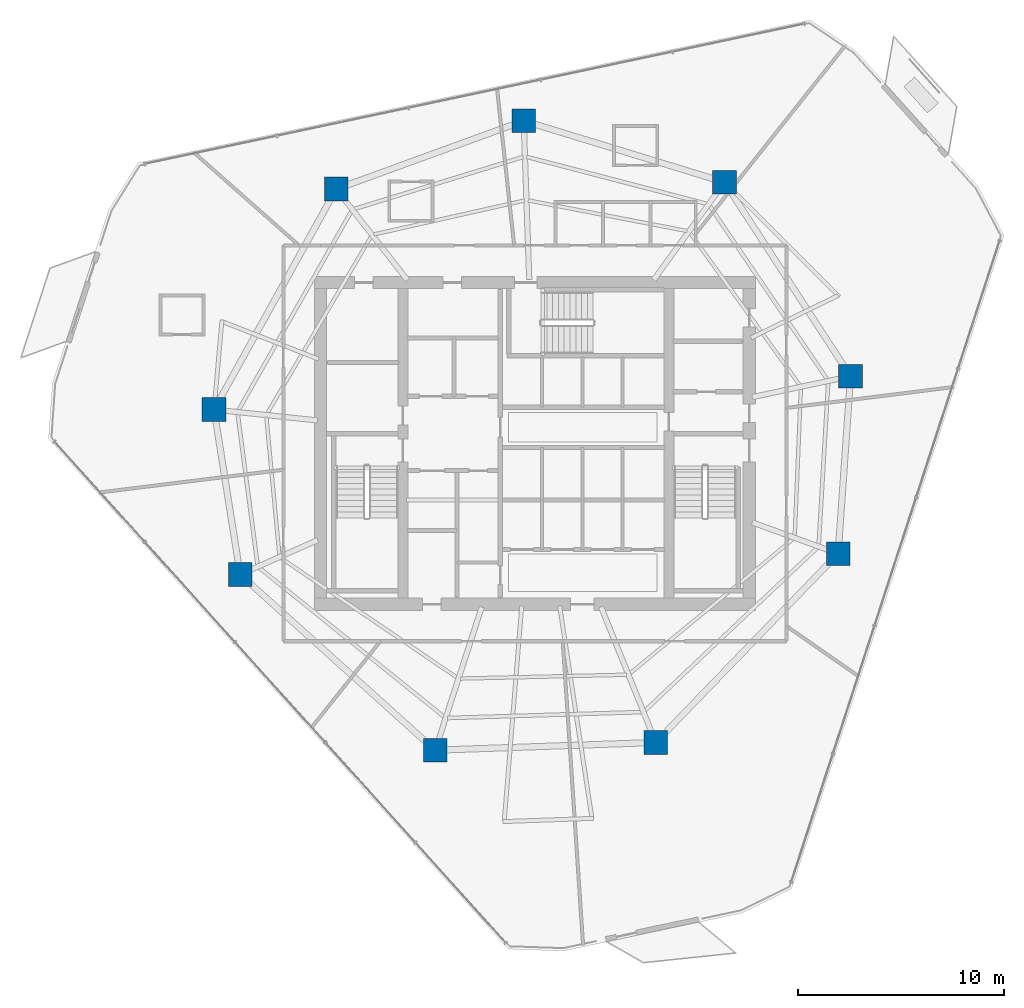
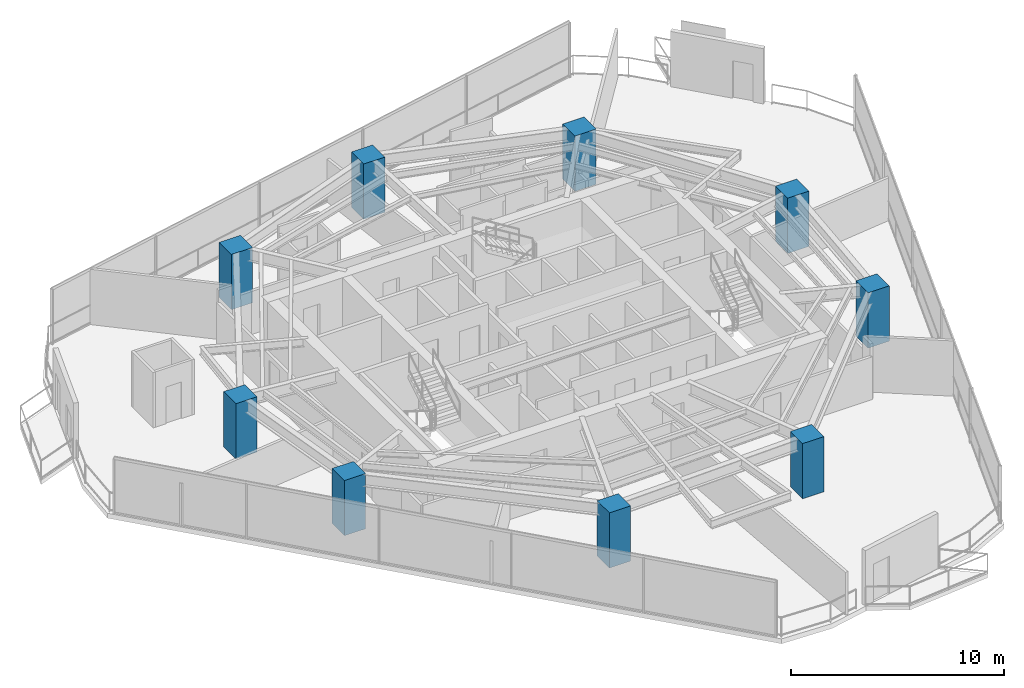
# One storey, part 1 of 27: 9 columns.
"""IFC4 building model written with IfcOpenShell, lengths in metres."""

import ifcopenshell
import ifcopenshell.guid

model = None  # the IFC model being written
_history = None  # IfcOwnerHistory: only IFC2X3 demands one
_inside = {}  # id of a spatial element -> (the spatial element, [elements in it])
_under = {}  # id of a project, library or spatial element -> (it, [spatial elements below it])
_declared = {}  # id of a project -> (the project, [libraries it declares])
_typed = {}  # id of a type object -> (the type object, [elements of that type])
_made_of = {}  # id of a material, layer set ... -> (it, [elements and type objects made of it])


def new_model(schema):
    """Start an empty IFC model of exactly this schema.

    Asked for "IFC4X3", IfcOpenShell would pick the latest addendum, in which some entities
    have other attributes; the version numbers below select the first issue.
    IFC2X3 requires an IfcOwnerHistory on every rooted entity: one is made here for all.
    """
    global model, _history
    if schema == "IFC4X3":
        model = ifcopenshell.file(schema_version=(4, 3, 0, 0))
    else:
        model = ifcopenshell.file(schema=schema)
    _inside.clear()
    _under.clear()
    _declared.clear()
    _typed.clear()
    _made_of.clear()
    _history = None
    if model.schema == "IFC2X3":
        org = make("IfcOrganization", Name="unknown")
        user = make(
            "IfcPersonAndOrganization",
            ThePerson=make("IfcPerson", FamilyName="unknown"),
            TheOrganization=org,
        )
        app = make(
            "IfcApplication",
            ApplicationDeveloper=org,
            Version="unknown",
            ApplicationFullName="unknown",
            ApplicationIdentifier="unknown",
        )
        _history = make(
            "IfcOwnerHistory",
            OwningUser=user,
            OwningApplication=app,
            ChangeAction="ADDED",
            CreationDate=0,
        )
    return model


def make(cls, **values):
    """One entity of the class cls with the attributes given. An attribute that is None is left unset."""
    return model.create_entity(
        cls, **{name: value for name, value in values.items() if value is not None}
    )


def rooted(cls, **values):
    """An entity with a GlobalId (a new one), such as an element, a storey or a relation."""
    return make(cls, GlobalId=ifcopenshell.guid.new(), OwnerHistory=_history, **values)


def si_unit(unit_type, name, prefix=None):
    """IfcSIUnit, for example si_unit("LENGTHUNIT", "METRE", prefix="MILLI")."""
    return make("IfcSIUnit", UnitType=unit_type, Prefix=prefix, Name=name)


def assignment(units):
    """IfcUnitAssignment: the units of a project."""
    return None if units is None else make("IfcUnitAssignment", Units=units)


def point(xyz):
    """IfcCartesianPoint."""
    return None if xyz is None else make("IfcCartesianPoint", Coordinates=xyz)


def direction(xyz):
    """IfcDirection."""
    return None if xyz is None else make("IfcDirection", DirectionRatios=xyz)


def frame(location, z_axis=None, x_axis=None):
    """IfcAxis2Placement3D, a coordinate frame: its origin and axes. An axis left out is left unset."""
    return make(
        "IfcAxis2Placement3D",
        Location=point(location),
        Axis=direction(z_axis),
        RefDirection=direction(x_axis),
    )


def frame_2d(location, x_axis=None):
    """IfcAxis2Placement2D, a coordinate frame in the plane: its origin and x axis."""
    return make(
        "IfcAxis2Placement2D", Location=point(location), RefDirection=direction(x_axis)
    )


def origin():
    """The frame at (0, 0, 0) with its axes left unset."""
    return frame((0.0, 0.0, 0.0))


def origin_2d():
    """The frame at (0, 0) in the plane with its x axis left unset."""
    return frame_2d((0.0, 0.0))


def place(relative_to, where):
    """IfcLocalPlacement: puts the frame where relative to a parent placement (None: the world)."""
    return make(
        "IfcLocalPlacement", PlacementRelTo=relative_to, RelativePlacement=where
    )


def context(
    kind, dimensions, precision=None, world=None, true_north=None, identifier=None
):
    """IfcGeometricRepresentationContext, for example the 3D "Model" context."""
    return make(
        "IfcGeometricRepresentationContext",
        ContextIdentifier=identifier,
        ContextType=kind,
        CoordinateSpaceDimension=dimensions,
        Precision=precision,
        WorldCoordinateSystem=world,
        TrueNorth=true_north,
    )


def subcontext(parent, identifier, kind, view, scale=None):
    """IfcGeometricRepresentationSubContext, for example "Body" below "Model"."""
    return make(
        "IfcGeometricRepresentationSubContext",
        ContextIdentifier=identifier,
        ContextType=kind,
        ParentContext=parent,
        TargetScale=scale,
        TargetView=view,
    )


def project(units=None, contexts=None):
    """IfcProject with its units and contexts."""
    return rooted(
        "IfcProject",
        Name="project",
        RepresentationContexts=contexts,
        UnitsInContext=assignment(units),
    )


def spatial(cls, under=None, at=None, **own):
    """A site, building, storey or space (cls), placed at a placement, below another one or the project."""
    s = rooted(cls, ObjectPlacement=at, **own)
    if under is not None:
        _under.setdefault(under.id(), (under, []))[1].append(s)
    return s


def profile(cls, at=None, kind="AREA", **sizes):
    """A parametric profile (cls). Its sizes go by their IFC names, for example OverallWidth=200.0."""
    return make(cls, ProfileType=kind, Position=at, **sizes)


def rectangle(**sizes):
    """IfcRectangleProfileDef."""
    return profile("IfcRectangleProfileDef", **sizes)


def extrude(swept, where, along, depth):
    """IfcExtrudedAreaSolid: the profile swept, set in the frame where, extruded along a direction by depth."""
    return make(
        "IfcExtrudedAreaSolid",
        SweptArea=swept,
        Position=where,
        ExtrudedDirection=direction(along),
        Depth=depth,
    )


def shape(context_of_items, identifier, shape_type, items):
    """IfcShapeRepresentation: the items that make up one representation, for example the "Body"."""
    return make(
        "IfcShapeRepresentation",
        ContextOfItems=context_of_items,
        RepresentationIdentifier=identifier,
        RepresentationType=shape_type,
        Items=items,
    )


def material(Name=None, Category=None):
    """IfcMaterial."""
    return make("IfcMaterial", Name=Name, Category=Category)


def material_profile(
    of_material, cross_section, Name=None, Category=None, Priority=None
):
    """IfcMaterialProfile: a cross section and its material."""
    return make(
        "IfcMaterialProfile",
        Name=Name,
        Material=of_material,
        Profile=cross_section,
        Priority=Priority,
        Category=Category,
    )


def profile_set(profiles, Name=None, composite=None):
    """IfcMaterialProfileSet."""
    return make(
        "IfcMaterialProfileSet",
        Name=Name,
        MaterialProfiles=profiles,
        CompositeProfile=composite,
    )


def made_of(thing, what):
    """Note that an element or type object is made of a material, layer set ...; save() writes the relation."""
    if what is not None:
        _made_of.setdefault(what.id(), (what, []))[1].append(thing)
    return thing


def type_object(cls, material=None, **own):
    """A type object (cls), such as IfcWallType, which elements share."""
    return made_of(rooted(cls, **own), material)


def element(
    cls,
    number,
    at=None,
    inside=None,
    cuts=None,
    type_object=None,
    material=None,
    context=None,
    identifier="Body",
    shape_type=None,
    held_by="IfcProductDefinitionShape",
    body=None,
    shapes=None,
    **own,
):
    """One element of the class cls, such as IfcWall. Its Tag is "e" and its number.

    at: its placement. inside: the storey or other place that contains it. cuts: it is an
    opening in that element (IfcRelVoidsElement). A single representation is given by context,
    identifier, shape_type and body (its items); several are given by shapes. held_by: the class
    of the entity that holds the representations. save() writes the other relations.
    """
    e = rooted(cls, Tag="e%d" % number, ObjectPlacement=at, **own)
    if body is not None:
        shapes = [shape(context, identifier, shape_type, body)]
    if shapes is not None:
        e.Representation = make(held_by, Representations=shapes)
    if inside is not None:
        _inside.setdefault(inside.id(), (inside, []))[1].append(e)
    if cuts is not None:
        rooted(
            "IfcRelVoidsElement", RelatingBuildingElement=cuts, RelatedOpeningElement=e
        )
    if type_object is not None:
        _typed.setdefault(type_object.id(), (type_object, []))[1].append(e)
    return made_of(e, material)


def aggregate(whole, parts):
    """IfcRelAggregates: a whole, such as a stair, and the parts it consists of."""
    return rooted("IfcRelAggregates", RelatingObject=whole, RelatedObjects=parts)


def save(model, path):
    """Write the relations noted so far, then the file.

    IfcRelAggregates (storeys below a building ...), IfcRelContainedInSpatialStructure (elements
    in a storey), IfcRelDefinesByType, IfcRelAssociatesMaterial and IfcRelDeclares: one each for
    every whole, place, type object, material and project.
    """
    for whole, parts in _under.values():
        aggregate(whole, parts)
    for where, things in _inside.values():
        rooted(
            "IfcRelContainedInSpatialStructure",
            RelatedElements=things,
            RelatingStructure=where,
        )
    for kind, things in _typed.values():
        rooted("IfcRelDefinesByType", RelatedObjects=things, RelatingType=kind)
    for what, things in _made_of.values():
        rooted("IfcRelAssociatesMaterial", RelatedObjects=things, RelatingMaterial=what)
    for by, libraries in _declared.values():
        rooted("IfcRelDeclares", RelatingContext=by, RelatedDefinitions=libraries)
    model.write(path)


model = new_model("IFC4")

# Units and contexts
model_context = context("Model", 3, precision=1e-05, world=origin(), true_north=direction((0.0, 1.0)))
body_context = subcontext(model_context, "Body", "Model", "MODEL_VIEW")
ifc_project = project(units=[si_unit("LENGTHUNIT", "METRE"), si_unit("AREAUNIT", "SQUARE_METRE"), si_unit("VOLUMEUNIT", "CUBIC_METRE"), si_unit("PLANEANGLEUNIT", "RADIAN"), si_unit("MASSUNIT", "GRAM", prefix="KILO")], contexts=[model_context])

# Site, building, storey
site_placement = place(None, origin())
site = spatial("IfcSite", under=ifc_project, at=site_placement, CompositionType="ELEMENT")
building_placement = place(site_placement, origin())
building = spatial("IfcBuilding", under=site, at=building_placement, Name="Qarnah Convention Tower", CompositionType="ELEMENT")
storey_placement = place(building_placement, frame((0.0, 0.0, 110.85009765625)))
storey = spatial("IfcBuildingStorey", under=building, at=storey_placement, Name="L29", CompositionType="ELEMENT", Elevation=110.85009765625)

# Columns
ifc_material = material(Name="Concrete C60/75", Category="concrete")
ifc_material_profile = material_profile(ifc_material, rectangle(XDim=1.14990234375, YDim=1.14990234375, at=origin_2d()), Name="RC-COL-1150X1150")
ifc_profile_set = profile_set([ifc_material_profile], Name="Concrete C60/75")
column_type = type_object("IfcColumnType", Name="COL-Z2-1150", PredefinedType="COLUMN", material=ifc_profile_set)
for number, where, z_axis, x_axis, name in (
    (1, (52.508056640625, 29.654052734375, 0.0), (0.0, 0.0, 1.0), (1.0, 0.0, 0.0), "L29 plumb column PC-Z2-01"),
    (2, (46.39892578125, 39.06103515625, 0.0), (0.0, 0.0, 1.0), (1.0, 0.0, 0.0), "L29 plumb column PC-Z2-02"),
    (3, (36.654052734375, 42.0400390625, 0.0), (0.0, 0.0, 1.0), (1.0, 0.0, 0.0), "L29 plumb column PC-Z2-03"),
    (4, (27.56494140625, 38.73193359375, 0.0), (0.0, 0.0, 1.0), (1.0, 0.0, 0.0), "L29 plumb column PC-Z2-04"),
    (5, (21.635986328125, 28.035888671875, 0.0), (0.0, 0.0, 1.0), (1.0, 0.0, 0.0), "L29 plumb column PC-Z2-05"),
    (6, (22.903076171875, 20.034912109375, 0.0), (0.0, 0.0, 1.0), (1.0, 0.0, 0.0), "L29 plumb column PC-Z2-06"),
    (7, (32.364013671875, 11.51611328125, 0.0), (0.0, 0.0, 1.0), (1.0, 0.0, 0.0), "L29 plumb column PC-Z2-07"),
    (8, (43.06298828125, 11.889892578125, 0.0), (0.0, 0.0, 1.0), (1.0, 0.0, 0.0), "L29 plumb column PC-Z2-08"),
    (9, (51.906005859375, 21.047119140625, 0.0), (0.0, 0.0, 1.0), (1.0, 0.0, 0.0), "L29 plumb column PC-Z2-09"),
):
    element("IfcColumn", number, at=place(storey_placement, frame(where, z_axis=z_axis, x_axis=x_axis)), inside=storey, type_object=column_type, Name=name, PredefinedType="COLUMN", context=body_context, shape_type="SweptSolid", body=[
        extrude(rectangle(XDim=1.14990234375, YDim=1.14990234375, at=origin_2d()), origin(), (0.0, 0.0, 1.0), 3.169921875),
    ])

save(model, "model.ifc")
